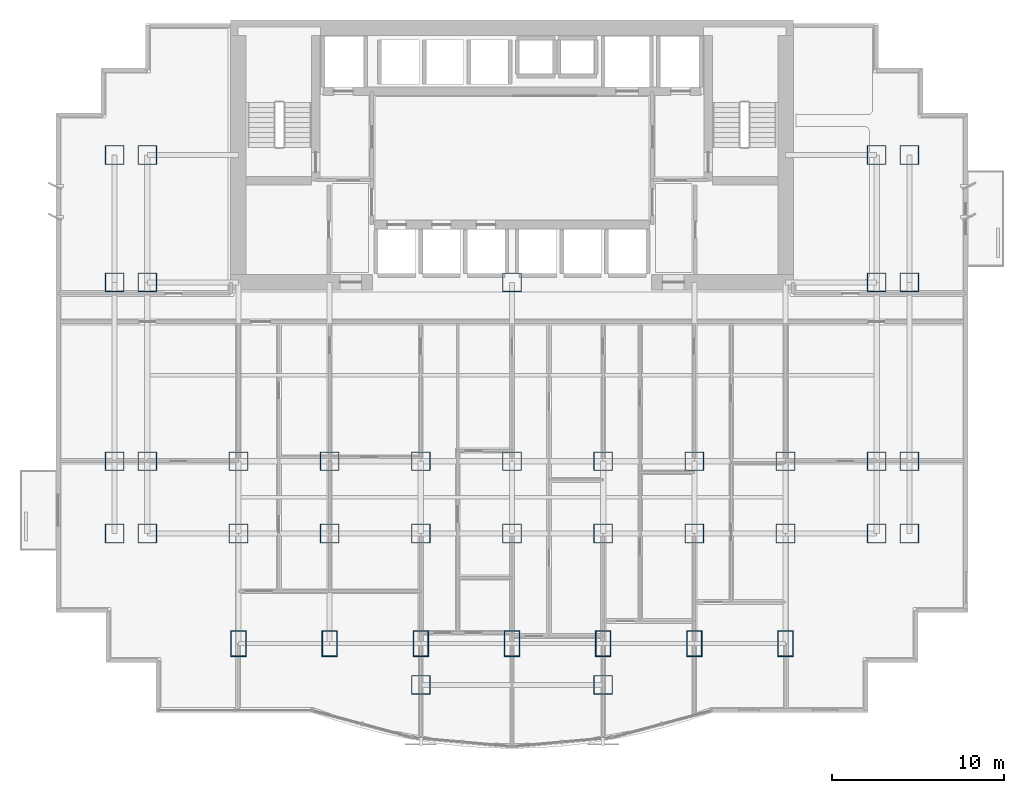
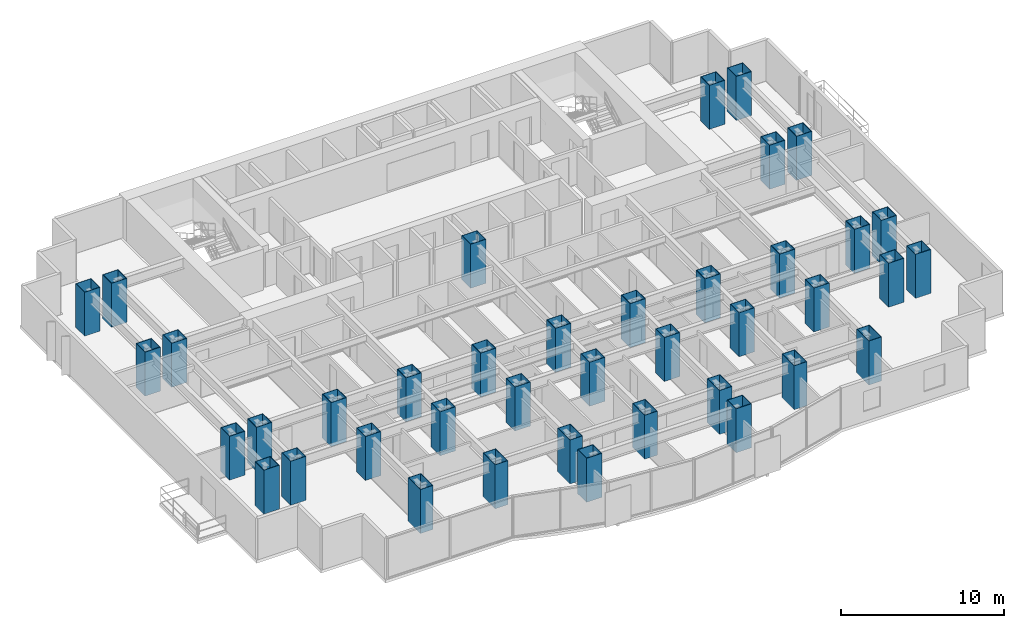
# One storey, part 1 of 10: 40 columns.
"""IFC4 building model written with IfcOpenShell, lengths in metres."""

from ifc_helpers import new_model, si_unit, direction, frame, origin, origin_2d, place, context, subcontext, project, spatial, hollow_rectangle, extrude, material, material_profile, profile_set, type_object, element, save


model = new_model("IFC4")

# Units and contexts
model_context = context("Model", 3, precision=1e-05, world=origin(), true_north=direction((0.0, 1.0)))
body_context = subcontext(model_context, "Body", "Model", "MODEL_VIEW")
ifc_project = project(units=[si_unit("LENGTHUNIT", "METRE"), si_unit("AREAUNIT", "SQUARE_METRE"), si_unit("VOLUMEUNIT", "CUBIC_METRE"), si_unit("PLANEANGLEUNIT", "RADIAN"), si_unit("MASSUNIT", "GRAM", prefix="KILO")], contexts=[model_context])

# Site, building, storey
site_placement = place(None, origin())
site = spatial("IfcSite", under=ifc_project, at=site_placement, CompositionType="ELEMENT")
building_placement = place(site_placement, origin())
building = spatial("IfcBuilding", under=site, at=building_placement, Name="Qianlan Lanfeng Residences", CompositionType="ELEMENT")
storey_placement = place(building_placement, frame((0.0, 0.0, 60.5)))
storey = spatial("IfcBuildingStorey", under=building, at=storey_placement, Name="L16", CompositionType="ELEMENT", Elevation=60.5)

# Columns
ifc_material = material(Name="Steel SN490B", Category="steel")
ifc_material_profile_1 = material_profile(ifc_material, hollow_rectangle(XDim=1.10009765625, YDim=1.10009765625, WallThickness=0.035888671875, at=origin_2d()), Name="BOX 1100x1100x36")
ifc_profile_set_1 = profile_set([ifc_material_profile_1], Name="Steel SN490B")
column_type_1 = type_object("IfcColumnType", Name="C-B1300", PredefinedType="COLUMN", material=ifc_profile_set_1)
for number, where, z_axis, x_axis, name in (
    (1, (26.5, 25.199951171875, 0.0), (0.0, 0.0, 1.0), (1.0, 0.0, 0.0), "L16 Structural Column CP_26.5_25.2"),
    (2, (10.60009765625, 14.800048828125, 0.0), (0.0, 0.0, 1.0), (1.0, 0.0, 0.0), "L16 Structural Column M_10.60_14.80"),
    (3, (10.60009765625, 10.60009765625, 0.0), (0.0, 0.0, 1.0), (1.0, 0.0, 0.0), "L16 Structural Column G_10.60_10.60"),
    (4, (15.89990234375, 14.800048828125, 0.0), (0.0, 0.0, 1.0), (1.0, 0.0, 0.0), "L16 Structural Column M_15.90_14.80"),
    (5, (15.89990234375, 10.60009765625, 0.0), (0.0, 0.0, 1.0), (1.0, 0.0, 0.0), "L16 Structural Column G_15.90_10.60"),
    (6, (21.199951171875, 14.800048828125, 0.0), (0.0, 0.0, 1.0), (1.0, 0.0, 0.0), "L16 Structural Column M_21.20_14.80"),
    (7, (21.199951171875, 10.60009765625, 0.0), (0.0, 0.0, 1.0), (1.0, 0.0, 0.0), "L16 Structural Column G_21.20_10.60"),
    (8, (26.5, 14.800048828125, 0.0), (0.0, 0.0, 1.0), (1.0, 0.0, 0.0), "L16 Structural Column M_26.50_14.80"),
    (9, (26.5, 10.60009765625, 0.0), (0.0, 0.0, 1.0), (1.0, 0.0, 0.0), "L16 Structural Column G_26.50_10.60"),
    (10, (31.800048828125, 14.800048828125, 0.0), (0.0, 0.0, 1.0), (1.0, 0.0, 0.0), "L16 Structural Column M_31.80_14.80"),
    (11, (31.800048828125, 10.60009765625, 0.0), (0.0, 0.0, 1.0), (1.0, 0.0, 0.0), "L16 Structural Column G_31.80_10.60"),
    (12, (37.10009765625, 14.800048828125, 0.0), (0.0, 0.0, 1.0), (1.0, 0.0, 0.0), "L16 Structural Column M_37.10_14.80"),
    (13, (37.10009765625, 10.60009765625, 0.0), (0.0, 0.0, 1.0), (1.0, 0.0, 0.0), "L16 Structural Column G_37.10_10.60"),
    (14, (42.39990234375, 14.800048828125, 0.0), (0.0, 0.0, 1.0), (1.0, 0.0, 0.0), "L16 Structural Column M_42.40_14.80"),
    (15, (42.39990234375, 10.60009765625, 0.0), (0.0, 0.0, 1.0), (1.0, 0.0, 0.0), "L16 Structural Column G_42.40_10.60"),
    (16, (21.199951171875, 1.800048828125, 0.0), (0.0, 0.0, 1.0), (1.0, 0.0, 0.0), "L16 Structural Column P_21.20_1.80"),
    (17, (31.800048828125, 1.800048828125, 0.0), (0.0, 0.0, 1.0), (1.0, 0.0, 0.0), "L16 Structural Column P_31.80_1.80"),
    (18, (3.39990234375, 10.60009765625, 0.0), (0.0, 0.0, 1.0), (1.0, 0.0, 0.0), "L16 Structural Column W_3.40_10.60"),
    (19, (3.39990234375, 14.800048828125, 0.0), (0.0, 0.0, 1.0), (1.0, 0.0, 0.0), "L16 Structural Column W_3.40_14.80"),
    (20, (3.39990234375, 25.199951171875, 0.0), (0.0, 0.0, 1.0), (1.0, 0.0, 0.0), "L16 Structural Column W_3.40_25.20"),
    (21, (3.39990234375, 32.60009765625, 0.0), (0.0, 0.0, 1.0), (1.0, 0.0, 0.0), "L16 Structural Column W_3.40_32.60"),
    (22, (5.300048828125, 10.60009765625, 0.0), (0.0, 0.0, 1.0), (1.0, 0.0, 0.0), "L16 Structural Column W_5.30_10.60"),
    (23, (5.300048828125, 14.800048828125, 0.0), (0.0, 0.0, 1.0), (1.0, 0.0, 0.0), "L16 Structural Column W_5.30_14.80"),
    (24, (5.300048828125, 25.199951171875, 0.0), (0.0, 0.0, 1.0), (1.0, 0.0, 0.0), "L16 Structural Column W_5.30_25.20"),
    (25, (5.300048828125, 32.60009765625, 0.0), (0.0, 0.0, 1.0), (1.0, 0.0, 0.0), "L16 Structural Column W_5.30_32.60"),
    (26, (47.699951171875, 10.60009765625, 0.0), (0.0, 0.0, 1.0), (1.0, 0.0, 0.0), "L16 Structural Column W_47.70_10.60"),
    (27, (47.699951171875, 14.800048828125, 0.0), (0.0, 0.0, 1.0), (1.0, 0.0, 0.0), "L16 Structural Column W_47.70_14.80"),
    (28, (47.699951171875, 25.199951171875, 0.0), (0.0, 0.0, 1.0), (1.0, 0.0, 0.0), "L16 Structural Column W_47.70_25.20"),
    (29, (47.699951171875, 32.60009765625, 0.0), (0.0, 0.0, 1.0), (1.0, 0.0, 0.0), "L16 Structural Column W_47.70_32.60"),
    (30, (49.60009765625, 10.60009765625, 0.0), (0.0, 0.0, 1.0), (1.0, 0.0, 0.0), "L16 Structural Column W_49.60_10.60"),
    (31, (49.60009765625, 14.800048828125, 0.0), (0.0, 0.0, 1.0), (1.0, 0.0, 0.0), "L16 Structural Column W_49.60_14.80"),
    (32, (49.60009765625, 25.199951171875, 0.0), (0.0, 0.0, 1.0), (1.0, 0.0, 0.0), "L16 Structural Column W_49.60_25.20"),
    (33, (49.60009765625, 32.60009765625, 0.0), (0.0, 0.0, 1.0), (1.0, 0.0, 0.0), "L16 Structural Column W_49.60_32.60"),
):
    element("IfcColumn", number, at=place(storey_placement, frame(where, z_axis=z_axis, x_axis=x_axis)), inside=storey, type_object=column_type_1, Name=name, PredefinedType="COLUMN", context=body_context, shape_type="SweptSolid", body=[
        extrude(hollow_rectangle(XDim=1.10009765625, YDim=1.10009765625, WallThickness=0.035888671875, at=origin_2d()), origin(), (0.0, 0.0, 1.0), 3.300048828125),
    ])
ifc_material_profile_2 = material_profile(ifc_material, hollow_rectangle(XDim=0.89990234375, YDim=1.5, WallThickness=0.035888671875, at=origin_2d()), Name="BOX 1500x900x36")
ifc_profile_set_2 = profile_set([ifc_material_profile_2], Name="Steel SN490B")
column_type_2 = type_object("IfcColumnType", Name="CE-B1250", PredefinedType="COLUMN", material=ifc_profile_set_2)
for number, where, z_axis, x_axis, name in (
    (34, (10.60009765625, 4.199951171875, 0.0), (0.0, 0.0, 1.0), (1.0, 0.0, 0.0), "L16 Structural Column S_10.60_4.20"),
    (35, (15.89990234375, 4.199951171875, 0.0), (0.0, 0.0, 1.0), (1.0, 0.0, 0.0), "L16 Structural Column S_15.90_4.20"),
    (36, (21.199951171875, 4.199951171875, 0.0), (0.0, 0.0, 1.0), (1.0, 0.0, 0.0), "L16 Structural Column S_21.20_4.20"),
    (37, (26.5, 4.199951171875, 0.0), (0.0, 0.0, 1.0), (1.0, 0.0, 0.0), "L16 Structural Column S_26.50_4.20"),
    (38, (31.800048828125, 4.199951171875, 0.0), (0.0, 0.0, 1.0), (1.0, 0.0, 0.0), "L16 Structural Column S_31.80_4.20"),
    (39, (37.10009765625, 4.199951171875, 0.0), (0.0, 0.0, 1.0), (1.0, 0.0, 0.0), "L16 Structural Column S_37.10_4.20"),
    (40, (42.39990234375, 4.199951171875, 0.0), (0.0, 0.0, 1.0), (1.0, 0.0, 0.0), "L16 Structural Column S_42.40_4.20"),
):
    element("IfcColumn", number, at=place(storey_placement, frame(where, z_axis=z_axis, x_axis=x_axis)), inside=storey, type_object=column_type_2, Name=name, PredefinedType="COLUMN", context=body_context, shape_type="SweptSolid", body=[
        extrude(hollow_rectangle(XDim=0.89990234375, YDim=1.5, WallThickness=0.035888671875, at=origin_2d()), origin(), (0.0, 0.0, 1.0), 3.300048828125),
    ])

save(model, "model.ifc")
